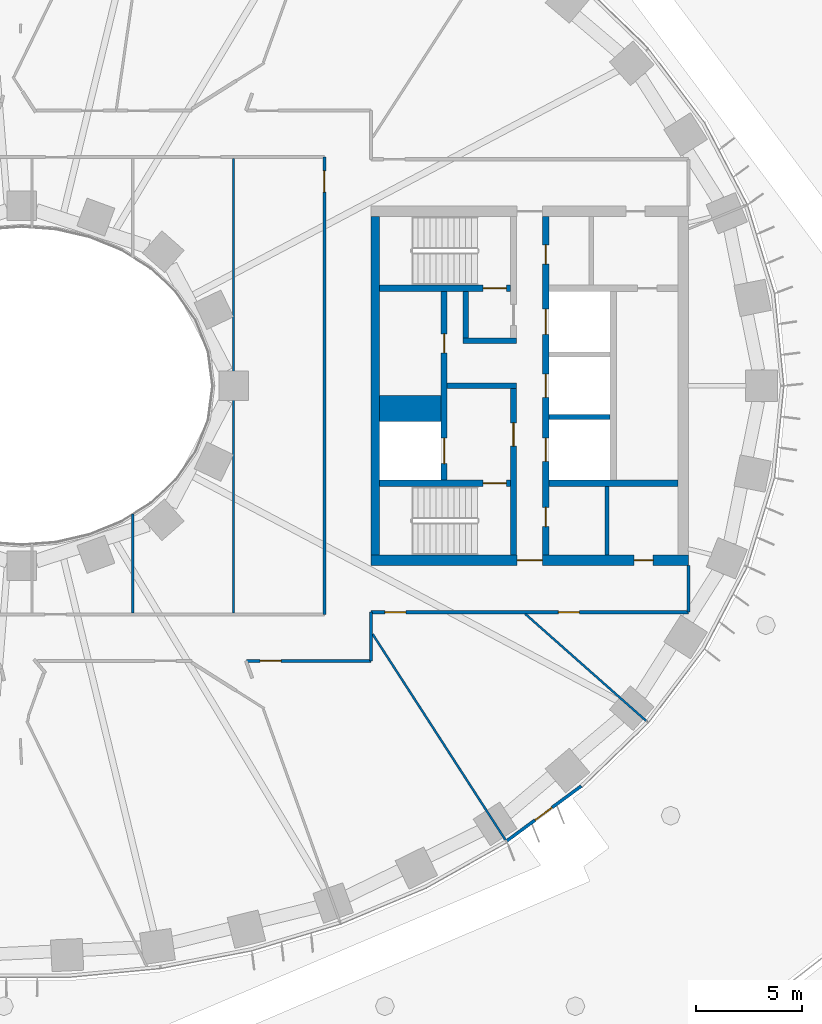
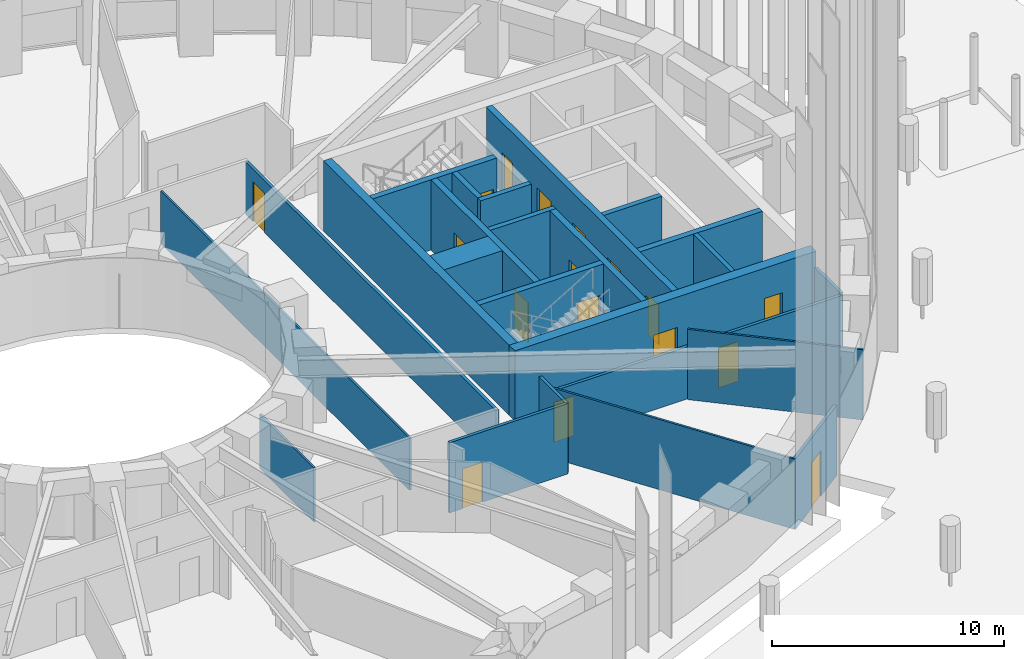
# One storey, part 14 of 30: 24 walls, 17 doors, 17 openings.
"""IFC4 building model written with IfcOpenShell, lengths in metres."""

from ifc_helpers import new_model, si_unit, direction, frame, frame_2d, origin, place, context, subcontext, project, spatial, rectangle, extrude, material, layer, layer_set, type_object, element, fill, save


model = new_model("IFC4")

# Units and contexts
model_context = context("Model", 3, precision=1e-05, world=origin(), true_north=direction((0.0, 1.0)))
body_context = subcontext(model_context, "Body", "Model", "MODEL_VIEW")
ifc_project = project(units=[si_unit("LENGTHUNIT", "METRE"), si_unit("AREAUNIT", "SQUARE_METRE"), si_unit("VOLUMEUNIT", "CUBIC_METRE"), si_unit("PLANEANGLEUNIT", "RADIAN"), si_unit("MASSUNIT", "GRAM", prefix="KILO")], contexts=[model_context])

# Site, building, storey
site_placement = place(None, origin())
site = spatial("IfcSite", under=ifc_project, at=site_placement, CompositionType="ELEMENT")
building_placement = place(site_placement, origin())
building = spatial("IfcBuilding", under=site, at=building_placement, Name="Noorbagh Ring Tower", CompositionType="ELEMENT")
storey_placement = place(building_placement, frame((0.0, 0.0, 30.5)))
storey = spatial("IfcBuildingStorey", under=building, at=storey_placement, Name="L05", CompositionType="ELEMENT", Elevation=30.5)

# Walls
ifc_material_1 = material(Name="Gypsum board on steel studs", Category="steel")
ifc_layer_1 = layer(ifc_material_1, 0.199951171875)
ifc_layer_set_1 = layer_set([ifc_layer_1], Name="Gypsum board on steel studs")
wall_type_1 = type_object("IfcWallType", Name="CORE-PARTITION-200", PredefinedType="PARTITIONING", material=ifc_layer_set_1)
wall_1_placement = place(storey_placement, frame((27.64990234375, -8.0, 0.0), z_axis=(0.0, 0.0, 1.0), x_axis=(0.0, 1.0, 0.0)))
element("IfcWall", 1, at=wall_1_placement, inside=storey, type_object=wall_type_1, Name="Core partition E", PredefinedType="PARTITIONING", context=body_context, shape_type="SweptSolid", body=[
    extrude(rectangle(XDim=3.25, YDim=0.199951171875, at=frame_2d((1.625, 0.0))), origin(), (0.0, 0.0, 1.0), 3.699951171875),
])
ifc_material_2 = material(Name="Concrete C70/85", Category="concrete")
ifc_layer_2 = layer(ifc_material_2, 1.25)
ifc_layer_set_2 = layer_set([ifc_layer_2], Name="Concrete C70/85")
wall_type_2 = type_object("IfcWallType", Name="CORE-WALL-1250-C70-85-EI120", PredefinedType="SHEAR", material=ifc_layer_set_2)
wall_2_placement = place(storey_placement, frame((16.89990234375, -1.074951171875, 0.0), z_axis=(0.0, 0.0, 1.0), x_axis=(1.0, 0.0, 0.0)))
element("IfcWall", 2, at=wall_2_placement, inside=storey, type_object=wall_type_2, Name="Core wall E", PredefinedType="SHEAR", context=body_context, shape_type="SweptSolid", body=[
    extrude(rectangle(XDim=2.900146484375, YDim=1.25, at=frame_2d((1.4501953125, 0.0))), origin(), (0.0, 0.0, 1.0), 3.699951171875),
])
ifc_material_3 = material(Name="Concrete C70/85", Category="concrete")
ifc_layer_3 = layer(ifc_material_3, 0.25)
ifc_layer_set_3 = layer_set([ifc_layer_3], Name="Concrete C70/85")
wall_type_3 = type_object("IfcWallType", Name="CORE-WALL-250-C70-85-EI120", PredefinedType="SHEAR", material=ifc_layer_set_3)
wall_3_placement = place(storey_placement, frame((24.89990234375, -1.47509765625, 0.0), z_axis=(0.0, 0.0, 1.0), x_axis=(1.0, 0.0, 0.0)))
element("IfcWall", 3, at=wall_3_placement, inside=storey, type_object=wall_type_3, Name="Core wall E", PredefinedType="SHEAR", context=body_context, shape_type="SweptSolid", body=[
    extrude(rectangle(XDim=2.900146484375, YDim=0.25, at=frame_2d((1.4501953125, 0.0))), origin(), (0.0, 0.0, 1.0), 3.699951171875),
])
ifc_material_4 = material(Name="Concrete C70/85", Category="concrete")
ifc_layer_4 = layer(ifc_material_4, 0.25)
ifc_layer_set_4 = layer_set([ifc_layer_4], Name="Concrete C70/85")
wall_type_4 = type_object("IfcWallType", Name="CORE-WALL-250-C70-85-EI240", PredefinedType="SHEAR", material=ifc_layer_set_4)
wall_4_placement = place(storey_placement, frame((20.10009765625, 0.0, 0.0), z_axis=(0.0, 0.0, 1.0), x_axis=(1.0, 0.0, 0.0)))
element("IfcWall", 4, at=wall_4_placement, inside=storey, type_object=wall_type_4, Name="Core wall E", PredefinedType="SHEAR", context=body_context, shape_type="SweptSolid", body=[
    extrude(rectangle(XDim=3.27978515625, YDim=0.25, at=frame_2d((1.639892578125, 0.0))), origin(), (0.0, 0.0, 1.0), 3.699951171875),
])
wall_5_placement = place(storey_placement, frame((20.85009765625, 2.125, 0.0), z_axis=(0.0, 0.0, 1.0), x_axis=(1.0, 0.0, 0.0)))
element("IfcWall", 5, at=wall_5_placement, inside=storey, type_object=wall_type_4, Name="Core wall E", PredefinedType="SHEAR", context=body_context, shape_type="SweptSolid", body=[
    extrude(rectangle(XDim=2.52978515625, YDim=0.25, at=frame_2d((1.264892578125, 0.0))), origin(), (0.0, 0.0, 1.0), 3.699951171875),
])
wall_6_placement = place(storey_placement, frame((20.97509765625, 2.25, 0.0), z_axis=(0.0, 0.0, 1.0), x_axis=(0.0, 1.0, 0.0)))
element("IfcWall", 6, at=wall_6_placement, inside=storey, type_object=wall_type_4, Name="Core wall E", PredefinedType="SHEAR", context=body_context, shape_type="SweptSolid", body=[
    extrude(rectangle(XDim=2.199951171875, YDim=0.25, at=frame_2d((1.10009765625, 0.0))), origin(), (0.0, 0.0, 1.0), 3.699951171875),
])

# Wall, openings, doors
ifc_material_5 = material(Name="Concrete C70/85", Category="concrete")
ifc_layer_5 = layer(ifc_material_5, 0.300048828125)
ifc_layer_set_5 = layer_set([ifc_layer_5], Name="Concrete C70/85")
wall_type_5 = type_object("IfcWallType", Name="CORE-WALL-300-C70-85-EI120", PredefinedType="SHEAR", material=ifc_layer_set_5)
wall_7_placement = place(storey_placement, frame((19.949951171875, -4.449951171875, 0.0), z_axis=(0.0, 0.0, 1.0), x_axis=(0.0, 1.0, 0.0)))
wall_7 = element("IfcWall", 7, at=wall_7_placement, inside=storey, type_object=wall_type_5, Name="Core wall E", PredefinedType="SHEAR", context=body_context, shape_type="SweptSolid", body=[
    extrude(rectangle(XDim=8.89990234375, YDim=0.300048828125, at=frame_2d((4.449951171875, 0.0))), origin(), (0.0, 0.0, 1.0), 3.699951171875),
])
opening_1_placement = place(wall_7_placement, frame((0.77490234375, 0.0, 0.0)))
opening_1 = element("IfcOpeningElement", 8, at=opening_1_placement, cuts=wall_7, Name="Opening L05-CE01", PredefinedType="OPENING", context=body_context, shape_type="SweptSolid", body=[
    extrude(rectangle(XDim=1.199951171875, YDim=2.10009765625, at=frame_2d((0.60009765625, 1.050048828125))), frame((0.0, 0.16015625, 0.0), z_axis=(0.0, -1.0, 0.0), x_axis=(1.0, 0.0, 0.0)), (0.0, 0.0, 1.0), 0.320068359375),
])
opening_2_placement = place(wall_7_placement, frame((6.0, 0.0, 0.0)))
opening_2 = element("IfcOpeningElement", 9, at=opening_2_placement, cuts=wall_7, Name="Opening L05-CE11", PredefinedType="OPENING", context=body_context, shape_type="SweptSolid", body=[
    extrude(rectangle(XDim=0.89990234375, YDim=2.10009765625, at=frame_2d((0.449951171875, 1.050048828125))), frame((0.0, 0.16015625, 0.0), z_axis=(0.0, -1.0, 0.0), x_axis=(1.0, 0.0, 0.0)), (0.0, 0.0, 1.0), 0.320068359375),
])
ifc_material_6 = material(Name="Steel door leaf", Category="steel")
door_type_1 = type_object("IfcDoorType", Name="CORE-DOOR-DROOM", OperationType="SINGLE_SWING_LEFT", PredefinedType="DOOR", material=ifc_material_6)
door_1_placement = place(opening_2_placement, origin())
door_1 = element("IfcDoor", 10, at=door_1_placement, inside=storey, type_object=door_type_1, Name="Core room door L05-CE11", OperationType="SINGLE_SWING_RIGHT", OverallHeight=2.10009765625, OverallWidth=0.89990234375, PredefinedType="DOOR", context=body_context, shape_type="SweptSolid", body=[
    extrude(rectangle(XDim=0.89990234375, YDim=2.10009765625, at=frame_2d((0.449951171875, 1.050048828125))), frame((0.0, 0.02490234375, 0.0), z_axis=(0.0, -1.0, 0.0), x_axis=(1.0, 0.0, 0.0)), (0.0, 0.0, 1.0), 0.050048828125),
])
fill(opening_2, door_1)
ifc_material_7 = material(Name="Steel door leaf", Category="steel")
door_type_2 = type_object("IfcDoorType", Name="CORE-DOOR-LDW", OperationType="DOUBLE_DOOR_SLIDING", PredefinedType="DOOR", material=ifc_material_7)
door_2_placement = place(opening_1_placement, origin())
door_2 = element("IfcDoor", 11, at=door_2_placement, inside=storey, type_object=door_type_2, Name="Landing door FF2 L05-CE01", OperationType="DOUBLE_DOOR_SLIDING", OverallHeight=2.10009765625, OverallWidth=1.199951171875, PredefinedType="DOOR", context=body_context, shape_type="SweptSolid", body=[
    extrude(rectangle(XDim=1.199951171875, YDim=2.10009765625, at=frame_2d((0.60009765625, 1.050048828125))), frame((0.0, 0.02490234375, 0.0), z_axis=(0.0, -1.0, 0.0), x_axis=(1.0, 0.0, 0.0)), (0.0, 0.0, 1.0), 0.050048828125),
])
fill(opening_1, door_2)

wall_8_placement = place(storey_placement, frame((24.75, -8.0, 0.0), z_axis=(0.0, 0.0, 1.0), x_axis=(0.0, 1.0, 0.0)))
wall_8 = element("IfcWall", 12, at=wall_8_placement, inside=storey, type_object=wall_type_5, Name="Core wall E", PredefinedType="SHEAR", context=body_context, shape_type="SweptSolid", body=[
    extrude(rectangle(XDim=16.0, YDim=0.300048828125, at=frame_2d((8.0, 0.0))), origin(), (0.0, 0.0, 1.0), 3.699951171875),
])
opening_3_placement = place(wall_8_placement, frame((4.425048828125, 0.0, 0.0)))
opening_3 = element("IfcOpeningElement", 13, at=opening_3_placement, cuts=wall_8, Name="Opening L05-CE02", PredefinedType="OPENING", context=body_context, shape_type="SweptSolid", body=[
    extrude(rectangle(XDim=1.10009765625, YDim=2.10009765625, at=frame_2d((0.550048828125, 1.050048828125))), frame((0.0, 0.16015625, 0.0), z_axis=(0.0, -1.0, 0.0), x_axis=(1.0, 0.0, 0.0)), (0.0, 0.0, 1.0), 0.320068359375),
])
opening_4_placement = place(wall_8_placement, frame((7.449951171875, 0.0, 0.0)))
opening_4 = element("IfcOpeningElement", 14, at=opening_4_placement, cuts=wall_8, Name="Opening L05-CE03", PredefinedType="OPENING", context=body_context, shape_type="SweptSolid", body=[
    extrude(rectangle(XDim=1.10009765625, YDim=2.10009765625, at=frame_2d((0.550048828125, 1.050048828125))), frame((0.0, 0.16015625, 0.0), z_axis=(0.0, -1.0, 0.0), x_axis=(1.0, 0.0, 0.0)), (0.0, 0.0, 1.0), 0.320068359375),
])
opening_5_placement = place(wall_8_placement, frame((10.425048828125, 0.0, 0.0)))
opening_5 = element("IfcOpeningElement", 15, at=opening_5_placement, cuts=wall_8, Name="Opening L05-CE04", PredefinedType="OPENING", context=body_context, shape_type="SweptSolid", body=[
    extrude(rectangle(XDim=1.199951171875, YDim=2.10009765625, at=frame_2d((0.60009765625, 1.050048828125))), frame((0.0, 0.16015625, 0.0), z_axis=(0.0, -1.0, 0.0), x_axis=(1.0, 0.0, 0.0)), (0.0, 0.0, 1.0), 0.320068359375),
])
opening_6_placement = place(wall_8_placement, frame((13.75, 0.0, 0.0)))
opening_6 = element("IfcOpeningElement", 16, at=opening_6_placement, cuts=wall_8, Name="Opening L05-CE12", PredefinedType="OPENING", context=body_context, shape_type="SweptSolid", body=[
    extrude(rectangle(XDim=0.89990234375, YDim=2.10009765625, at=frame_2d((0.449951171875, 1.050048828125))), frame((0.0, 0.16015625, 0.0), z_axis=(0.0, -1.0, 0.0), x_axis=(1.0, 0.0, 0.0)), (0.0, 0.0, 1.0), 0.320068359375),
])
opening_7_placement = place(wall_8_placement, frame((1.35009765625, 0.0, 0.0)))
opening_7 = element("IfcOpeningElement", 17, at=opening_7_placement, cuts=wall_8, Name="Opening L05-CE14", PredefinedType="OPENING", context=body_context, shape_type="SweptSolid", body=[
    extrude(rectangle(XDim=0.89990234375, YDim=2.10009765625, at=frame_2d((0.449951171875, 1.050048828125))), frame((0.0, 0.16015625, 0.0), z_axis=(0.0, -1.0, 0.0), x_axis=(1.0, 0.0, 0.0)), (0.0, 0.0, 1.0), 0.320068359375),
])
door_3_placement = place(opening_6_placement, origin())
door_3 = element("IfcDoor", 18, at=door_3_placement, inside=storey, type_object=door_type_1, Name="Core room door L05-CE12", OperationType="SINGLE_SWING_LEFT", OverallHeight=2.10009765625, OverallWidth=0.89990234375, PredefinedType="DOOR", context=body_context, shape_type="SweptSolid", body=[
    extrude(rectangle(XDim=0.89990234375, YDim=2.10009765625, at=frame_2d((0.449951171875, 1.050048828125))), frame((0.0, 0.02490234375, 0.0), z_axis=(0.0, -1.0, 0.0), x_axis=(1.0, 0.0, 0.0)), (0.0, 0.0, 1.0), 0.050048828125),
])
fill(opening_6, door_3)
door_4_placement = place(opening_7_placement, origin())
door_4 = element("IfcDoor", 19, at=door_4_placement, inside=storey, type_object=door_type_1, Name="Core room door L05-CE14", OperationType="SINGLE_SWING_RIGHT", OverallHeight=2.10009765625, OverallWidth=0.89990234375, PredefinedType="DOOR", context=body_context, shape_type="SweptSolid", body=[
    extrude(rectangle(XDim=0.89990234375, YDim=2.10009765625, at=frame_2d((0.449951171875, 1.050048828125))), frame((0.0, 0.02490234375, 0.0), z_axis=(0.0, -1.0, 0.0), x_axis=(1.0, 0.0, 0.0)), (0.0, 0.0, 1.0), 0.050048828125),
])
fill(opening_7, door_4)
ifc_material_8 = material(Name="Steel door leaf", Category="steel")
door_type_3 = type_object("IfcDoorType", Name="CORE-DOOR-LD", OperationType="DOUBLE_DOOR_SLIDING", PredefinedType="DOOR", material=ifc_material_8)
door_5_placement = place(opening_3_placement, origin())
door_5 = element("IfcDoor", 20, at=door_5_placement, inside=storey, type_object=door_type_3, Name="Landing door LR3 L05-CE02", OperationType="DOUBLE_DOOR_SLIDING", OverallHeight=2.10009765625, OverallWidth=1.10009765625, PredefinedType="DOOR", context=body_context, shape_type="SweptSolid", body=[
    extrude(rectangle(XDim=1.10009765625, YDim=2.10009765625, at=frame_2d((0.550048828125, 1.050048828125))), frame((0.0, 0.02490234375, 0.0), z_axis=(0.0, -1.0, 0.0), x_axis=(1.0, 0.0, 0.0)), (0.0, 0.0, 1.0), 0.050048828125),
])
fill(opening_3, door_5)
door_6_placement = place(opening_4_placement, origin())
door_6 = element("IfcDoor", 21, at=door_6_placement, inside=storey, type_object=door_type_3, Name="Landing door LR4 L05-CE03", OperationType="DOUBLE_DOOR_SLIDING", OverallHeight=2.10009765625, OverallWidth=1.10009765625, PredefinedType="DOOR", context=body_context, shape_type="SweptSolid", body=[
    extrude(rectangle(XDim=1.10009765625, YDim=2.10009765625, at=frame_2d((0.550048828125, 1.050048828125))), frame((0.0, 0.02490234375, 0.0), z_axis=(0.0, -1.0, 0.0), x_axis=(1.0, 0.0, 0.0)), (0.0, 0.0, 1.0), 0.050048828125),
])
fill(opening_4, door_6)
door_7_placement = place(opening_5_placement, origin())
door_7 = element("IfcDoor", 22, at=door_7_placement, inside=storey, type_object=door_type_2, Name="Landing door SV2 L05-CE04", OperationType="DOUBLE_DOOR_SLIDING", OverallHeight=2.10009765625, OverallWidth=1.199951171875, PredefinedType="DOOR", context=body_context, shape_type="SweptSolid", body=[
    extrude(rectangle(XDim=1.199951171875, YDim=2.10009765625, at=frame_2d((0.60009765625, 1.050048828125))), frame((0.0, 0.02490234375, 0.0), z_axis=(0.0, -1.0, 0.0), x_axis=(1.0, 0.0, 0.0)), (0.0, 0.0, 1.0), 0.050048828125),
])
fill(opening_5, door_7)

# Wall
ifc_material_9 = material(Name="Concrete C70/85", Category="concrete")
ifc_layer_6 = layer(ifc_material_9, 0.300048828125)
ifc_layer_set_6 = layer_set([ifc_layer_6], Name="Concrete C70/85")
wall_type_6 = type_object("IfcWallType", Name="CORE-WALL-300-C70-85-EI240", PredefinedType="SHEAR", material=ifc_layer_set_6)
wall_9_placement = place(storey_placement, frame((24.89990234375, -4.60009765625, 0.0), z_axis=(0.0, 0.0, 1.0), x_axis=(1.0, 0.0, 0.0)))
element("IfcWall", 23, at=wall_9_placement, inside=storey, type_object=wall_type_6, Name="Core wall E", PredefinedType="SHEAR", context=body_context, shape_type="SweptSolid", body=[
    extrude(rectangle(XDim=6.10009765625, YDim=0.300048828125, at=frame_2d((3.050048828125, 0.0))), origin(), (0.0, 0.0, 1.0), 3.699951171875),
])

# Wall, opening, door
wall_10_placement = place(storey_placement, frame((23.22998046875, -8.0, 0.0), z_axis=(0.0, 0.0, 1.0), x_axis=(0.0, 1.0, 0.0)))
wall_10 = element("IfcWall", 24, at=wall_10_placement, inside=storey, type_object=wall_type_6, Name="Core wall E", PredefinedType="SHEAR", context=body_context, shape_type="SweptSolid", body=[
    extrude(rectangle(XDim=7.875, YDim=0.300048828125, at=frame_2d((3.9375, 0.0))), origin(), (0.0, 0.0, 1.0), 3.699951171875),
])
opening_8_placement = place(wall_10_placement, frame((5.14990234375, 0.0, 0.0)))
opening_8 = element("IfcOpeningElement", 25, at=opening_8_placement, cuts=wall_10, Name="Opening L05-CE07", PredefinedType="OPENING", context=body_context, shape_type="SweptSolid", body=[
    extrude(rectangle(XDim=1.10009765625, YDim=2.10009765625, at=frame_2d((0.550048828125, 1.050048828125))), frame((0.0, 0.16015625, 0.0), z_axis=(0.0, -1.0, 0.0), x_axis=(1.0, 0.0, 0.0)), (0.0, 0.0, 1.0), 0.320068359375),
])
ifc_material_10 = material(Name="Steel door leaf", Category="steel")
door_type_4 = type_object("IfcDoorType", Name="CORE-DOOR-DFF", OperationType="SINGLE_SWING_LEFT", PredefinedType="DOOR", material=ifc_material_10)
door_8_placement = place(opening_8_placement, origin())
door_8 = element("IfcDoor", 26, at=door_8_placement, inside=storey, type_object=door_type_4, Name="Firefighting lobby door L05-CE07", OperationType="SINGLE_SWING_RIGHT", OverallHeight=2.10009765625, OverallWidth=1.10009765625, PredefinedType="DOOR", context=body_context, shape_type="SweptSolid", body=[
    extrude(rectangle(XDim=1.10009765625, YDim=2.10009765625, at=frame_2d((0.550048828125, 1.050048828125))), frame((0.0, 0.02490234375, 0.0), z_axis=(0.0, -1.0, 0.0), x_axis=(1.0, 0.0, 0.0)), (0.0, 0.0, 1.0), 0.050048828125),
])
fill(opening_8, door_8)

wall_11_placement = place(storey_placement, frame((16.89990234375, 4.60009765625, 0.0), z_axis=(0.0, 0.0, 1.0), x_axis=(1.0, 0.0, 0.0)))
wall_11 = element("IfcWall", 27, at=wall_11_placement, inside=storey, type_object=wall_type_6, Name="Core wall E", PredefinedType="SHEAR", context=body_context, shape_type="SweptSolid", body=[
    extrude(rectangle(XDim=6.18017578125, YDim=0.300048828125, at=frame_2d((3.090087890625, 0.0))), origin(), (0.0, 0.0, 1.0), 3.699951171875),
])
opening_9_placement = place(wall_11_placement, frame((4.89990234375, 0.0, 0.0)))
opening_9 = element("IfcOpeningElement", 28, at=opening_9_placement, cuts=wall_11, Name="Opening L05-CE05", PredefinedType="OPENING", context=body_context, shape_type="SweptSolid", body=[
    extrude(rectangle(XDim=1.10009765625, YDim=2.10009765625, at=frame_2d((0.550048828125, 1.050048828125))), frame((0.0, 0.16015625, 0.0), z_axis=(0.0, -1.0, 0.0), x_axis=(1.0, 0.0, 0.0)), (0.0, 0.0, 1.0), 0.320068359375),
])
ifc_material_11 = material(Name="Steel door leaf", Category="steel")
door_type_5 = type_object("IfcDoorType", Name="CORE-DOOR-DSTAIR", OperationType="SINGLE_SWING_LEFT", PredefinedType="DOOR", material=ifc_material_11)
door_9_placement = place(opening_9_placement, origin())
door_9 = element("IfcDoor", 29, at=door_9_placement, inside=storey, type_object=door_type_5, Name="Stair door ST3 L05-CE05", OperationType="SINGLE_SWING_LEFT", OverallHeight=2.10009765625, OverallWidth=1.10009765625, PredefinedType="DOOR", context=body_context, shape_type="SweptSolid", body=[
    extrude(rectangle(XDim=1.10009765625, YDim=2.10009765625, at=frame_2d((0.550048828125, 1.050048828125))), frame((0.0, 0.02490234375, 0.0), z_axis=(0.0, -1.0, 0.0), x_axis=(1.0, 0.0, 0.0)), (0.0, 0.0, 1.0), 0.050048828125),
])
fill(opening_9, door_9)

wall_12_placement = place(storey_placement, frame((16.89990234375, -4.60009765625, 0.0), z_axis=(0.0, 0.0, 1.0), x_axis=(1.0, 0.0, 0.0)))
wall_12 = element("IfcWall", 30, at=wall_12_placement, inside=storey, type_object=wall_type_6, Name="Core wall E", PredefinedType="SHEAR", context=body_context, shape_type="SweptSolid", body=[
    extrude(rectangle(XDim=6.18017578125, YDim=0.300048828125, at=frame_2d((3.090087890625, 0.0))), origin(), (0.0, 0.0, 1.0), 3.699951171875),
])
opening_10_placement = place(wall_12_placement, frame((4.89990234375, 0.0, 0.0)))
opening_10 = element("IfcOpeningElement", 31, at=opening_10_placement, cuts=wall_12, Name="Opening L05-CE06", PredefinedType="OPENING", context=body_context, shape_type="SweptSolid", body=[
    extrude(rectangle(XDim=1.10009765625, YDim=2.10009765625, at=frame_2d((0.550048828125, 1.050048828125))), frame((0.0, 0.16015625, 0.0), z_axis=(0.0, -1.0, 0.0), x_axis=(1.0, 0.0, 0.0)), (0.0, 0.0, 1.0), 0.320068359375),
])
door_10_placement = place(opening_10_placement, origin())
door_10 = element("IfcDoor", 32, at=door_10_placement, inside=storey, type_object=door_type_5, Name="Stair door ST4 L05-CE06", OperationType="SINGLE_SWING_RIGHT", OverallHeight=2.10009765625, OverallWidth=1.10009765625, PredefinedType="DOOR", context=body_context, shape_type="SweptSolid", body=[
    extrude(rectangle(XDim=1.10009765625, YDim=2.10009765625, at=frame_2d((0.550048828125, 1.050048828125))), frame((0.0, 0.02490234375, 0.0), z_axis=(0.0, -1.0, 0.0), x_axis=(1.0, 0.0, 0.0)), (0.0, 0.0, 1.0), 0.050048828125),
])
fill(opening_10, door_10)

# Wall
ifc_material_12 = material(Name="Concrete C70/85", Category="concrete")
ifc_layer_7 = layer(ifc_material_12, 0.39990234375)
ifc_layer_set_7 = layer_set([ifc_layer_7], Name="Concrete C70/85")
wall_type_7 = type_object("IfcWallType", Name="CORE-WALL-400-C70-85-EI240", PredefinedType="SHEAR", material=ifc_layer_set_7)
wall_13_placement = place(storey_placement, frame((16.699951171875, -8.0, 0.0), z_axis=(0.0, 0.0, 1.0), x_axis=(0.0, 1.0, 0.0)))
element("IfcWall", 33, at=wall_13_placement, inside=storey, type_object=wall_type_7, Name="Core wall E", PredefinedType="SHEAR", context=body_context, shape_type="SweptSolid", body=[
    extrude(rectangle(XDim=16.0, YDim=0.39990234375, at=frame_2d((8.0, 0.0))), origin(), (0.0, 0.0, 1.0), 3.699951171875),
])

# Wall, openings, doors
ifc_material_13 = material(Name="Concrete C70/85", Category="concrete")
ifc_layer_8 = layer(ifc_material_13, 0.5)
ifc_layer_set_8 = layer_set([ifc_layer_8], Name="Concrete C70/85")
wall_type_8 = type_object("IfcWallType", Name="CORE-WALL-500-C70-85-EI240", PredefinedType="SHEAR", material=ifc_layer_set_8)
wall_14_placement = place(storey_placement, frame((16.5, -8.25, 0.0), z_axis=(0.0, 0.0, 1.0), x_axis=(1.0, 0.0, 0.0)))
wall_14 = element("IfcWall", 34, at=wall_14_placement, inside=storey, type_object=wall_type_8, Name="Core wall E", PredefinedType="SHEAR", context=body_context, shape_type="SweptSolid", body=[
    extrude(rectangle(XDim=15.0, YDim=0.5, at=frame_2d((7.5, 0.0))), origin(), (0.0, 0.0, 1.0), 3.699951171875),
])
opening_11_placement = place(wall_14_placement, frame((6.89990234375, 0.0, 0.0)))
opening_11 = element("IfcOpeningElement", 35, at=opening_11_placement, cuts=wall_14, Name="Opening L05-CE10", PredefinedType="OPENING", context=body_context, shape_type="SweptSolid", body=[
    extrude(rectangle(XDim=1.199951171875, YDim=2.10009765625, at=frame_2d((0.60009765625, 1.050048828125))), frame((0.0, 0.260009765625, 0.0), z_axis=(0.0, -1.0, 0.0), x_axis=(1.0, 0.0, 0.0)), (0.0, 0.0, 1.0), 0.52001953125),
])
opening_12_placement = place(wall_14_placement, frame((12.425048828125, 0.0, 0.0)))
opening_12 = element("IfcOpeningElement", 36, at=opening_12_placement, cuts=wall_14, Name="Opening L05-CE15", PredefinedType="OPENING", context=body_context, shape_type="SweptSolid", body=[
    extrude(rectangle(XDim=0.89990234375, YDim=2.10009765625, at=frame_2d((0.449951171875, 1.050048828125))), frame((0.0, 0.260009765625, 0.0), z_axis=(0.0, -1.0, 0.0), x_axis=(1.0, 0.0, 0.0)), (0.0, 0.0, 1.0), 0.52001953125),
])
door_11_placement = place(opening_12_placement, origin())
door_11 = element("IfcDoor", 37, at=door_11_placement, inside=storey, type_object=door_type_1, Name="Core room door L05-CE15", OperationType="SINGLE_SWING_RIGHT", OverallHeight=2.10009765625, OverallWidth=0.89990234375, PredefinedType="DOOR", context=body_context, shape_type="SweptSolid", body=[
    extrude(rectangle(XDim=0.89990234375, YDim=2.10009765625, at=frame_2d((0.449951171875, 1.050048828125))), frame((0.0, 0.02490234375, 0.0), z_axis=(0.0, -1.0, 0.0), x_axis=(1.0, 0.0, 0.0)), (0.0, 0.0, 1.0), 0.050048828125),
])
fill(opening_12, door_11)
ifc_material_14 = material(Name="Steel door leaf", Category="steel")
door_type_6 = type_object("IfcDoorType", Name="CORE-DOOR-PORT", OperationType="DOUBLE_DOOR_DOUBLE_SWING", PredefinedType="DOOR", material=ifc_material_14)
door_12_placement = place(opening_11_placement, origin())
door_12 = element("IfcDoor", 38, at=door_12_placement, inside=storey, type_object=door_type_6, Name="Core entrance door L05-CE10", OperationType="DOUBLE_DOOR_DOUBLE_SWING", OverallHeight=2.10009765625, OverallWidth=1.199951171875, PredefinedType="DOOR", context=body_context, shape_type="SweptSolid", body=[
    extrude(rectangle(XDim=1.199951171875, YDim=2.10009765625, at=frame_2d((0.60009765625, 1.050048828125))), frame((0.0, 0.02490234375, 0.0), z_axis=(0.0, -1.0, 0.0), x_axis=(1.0, 0.0, 0.0)), (0.0, 0.0, 1.0), 0.050048828125),
])
fill(opening_11, door_12)

# Wall, opening, door
ifc_material_15 = material(Name="Gypsum board on steel studs", Category="steel")
ifc_layer_9 = layer(ifc_material_15, 0.14990234375)
ifc_layer_set_9 = layer_set([ifc_layer_9], Name="Gypsum board on steel studs")
wall_type_9 = type_object("IfcWallType", Name="CORRIDOR PARTITION 150 EI 30", PredefinedType="PARTITIONING", material=ifc_layer_set_9)
wall_15_placement = place(storey_placement, frame((10.60693359375, -13.0, 0.0), z_axis=(0.0, 0.0, 1.0), x_axis=(1.0, 0.0, 0.0)))
wall_15 = element("IfcWall", 39, at=wall_15_placement, inside=storey, type_object=wall_type_9, Name="L05/wall/P66", PredefinedType="PARTITIONING", context=body_context, shape_type="SweptSolid", body=[
    extrude(rectangle(XDim=5.89306640625, YDim=0.14990234375, at=frame_2d((2.946533203125, 0.0))), origin(), (0.0, 0.0, 1.0), 3.699951171875),
])
opening_13_placement = place(wall_15_placement, frame((0.64990234375, 0.0, 0.0)))
opening_13 = element("IfcOpeningElement", 40, at=opening_13_placement, cuts=wall_15, Name="Opening D1", PredefinedType="OPENING", context=body_context, shape_type="SweptSolid", body=[
    extrude(rectangle(XDim=1.0, YDim=2.10009765625, at=frame_2d((0.5, 1.050048828125))), frame((0.0, 0.0849609375, 0.0), z_axis=(0.0, -1.0, 0.0), x_axis=(1.0, 0.0, 0.0)), (0.0, 0.0, 1.0), 0.169921875),
])
ifc_material_16 = material(Name="Timber, painted", Category="wood")
door_type_7 = type_object("IfcDoorType", Name="DOOR 1000 X 2100 FD30", OperationType="SINGLE_SWING_LEFT", PredefinedType="DOOR", material=ifc_material_16)
door_13_placement = place(opening_13_placement, origin())
door_13 = element("IfcDoor", 41, at=door_13_placement, inside=storey, type_object=door_type_7, Name="L05-D19", OperationType="SINGLE_SWING_LEFT", OverallHeight=2.10009765625, OverallWidth=1.0, PredefinedType="DOOR", context=body_context, shape_type="SweptSolid", body=[
    extrude(rectangle(XDim=1.0, YDim=2.10009765625, at=frame_2d((0.5, 1.050048828125))), frame((0.0, 0.02490234375, 0.0), z_axis=(0.0, -1.0, 0.0), x_axis=(1.0, 0.0, 0.0)), (0.0, 0.0, 1.0), 0.050048828125),
])
fill(opening_13, door_13)

wall_16_placement = place(storey_placement, frame((14.300048828125, -10.800048828125, 0.0), z_axis=(0.0, 0.0, 1.0), x_axis=(0.0, 1.0, 0.0)))
wall_16 = element("IfcWall", 42, at=wall_16_placement, inside=storey, type_object=wall_type_9, Name="L05/wall/P70", PredefinedType="PARTITIONING", context=body_context, shape_type="SweptSolid", body=[
    extrude(rectangle(XDim=21.60009765625, YDim=0.14990234375, at=frame_2d((10.800048828125, 0.0))), origin(), (0.0, 0.0, 1.0), 2.75),
])
opening_14_placement = place(wall_16_placement, frame((19.949951171875, 0.0, 0.0)))
opening_14 = element("IfcOpeningElement", 43, at=opening_14_placement, cuts=wall_16, Name="Opening D1", PredefinedType="OPENING", context=body_context, shape_type="SweptSolid", body=[
    extrude(rectangle(XDim=1.0, YDim=2.10009765625, at=frame_2d((0.5, 1.050048828125))), frame((0.0, 0.0849609375, 0.0), z_axis=(0.0, -1.0, 0.0), x_axis=(1.0, 0.0, 0.0)), (0.0, 0.0, 1.0), 0.169921875),
])
door_14_placement = place(opening_14_placement, origin())
door_14 = element("IfcDoor", 44, at=door_14_placement, inside=storey, type_object=door_type_7, Name="L05-D31", OperationType="SINGLE_SWING_LEFT", OverallHeight=2.10009765625, OverallWidth=1.0, PredefinedType="DOOR", context=body_context, shape_type="SweptSolid", body=[
    extrude(rectangle(XDim=1.0, YDim=2.10009765625, at=frame_2d((0.5, 1.050048828125))), frame((0.0, 0.02490234375, 0.0), z_axis=(0.0, -1.0, 0.0), x_axis=(1.0, 0.0, 0.0)), (0.0, 0.0, 1.0), 0.050048828125),
])
fill(opening_14, door_14)

# Wall
wall_17_placement = place(storey_placement, frame((16.5, -13.0, 0.0), z_axis=(0.0, 0.0, 1.0), x_axis=(0.0, 1.0, 0.0)))
element("IfcWall", 45, at=wall_17_placement, inside=storey, type_object=wall_type_9, Name="L05/wall/P71", PredefinedType="PARTITIONING", context=body_context, shape_type="SweptSolid", body=[
    extrude(rectangle(XDim=2.300048828125, YDim=0.14990234375, at=frame_2d((1.14990234375, 0.0))), origin(), (0.0, 0.0, 1.0), 3.699951171875),
])

# Wall, openings, doors
wall_18_placement = place(storey_placement, frame((16.5, -10.699951171875, 0.0), z_axis=(0.0, 0.0, 1.0), x_axis=(1.0, 0.0, 0.0)))
wall_18 = element("IfcWall", 46, at=wall_18_placement, inside=storey, type_object=wall_type_9, Name="L05/wall/P73", PredefinedType="PARTITIONING", context=body_context, shape_type="SweptSolid", body=[
    extrude(rectangle(XDim=15.0, YDim=0.14990234375, at=frame_2d((7.5, 0.0))), origin(), (0.0, 0.0, 1.0), 2.75),
])
opening_15_placement = place(wall_18_placement, frame((0.64990234375, 0.0, 0.0)))
opening_15 = element("IfcOpeningElement", 47, at=opening_15_placement, cuts=wall_18, Name="Opening D1", PredefinedType="OPENING", context=body_context, shape_type="SweptSolid", body=[
    extrude(rectangle(XDim=1.0, YDim=2.10009765625, at=frame_2d((0.5, 1.050048828125))), frame((0.0, 0.0849609375, 0.0), z_axis=(0.0, -1.0, 0.0), x_axis=(1.0, 0.0, 0.0)), (0.0, 0.0, 1.0), 0.169921875),
])
opening_16_placement = place(wall_18_placement, frame((8.846923828125, 0.0, 0.0)))
opening_16 = element("IfcOpeningElement", 48, at=opening_16_placement, cuts=wall_18, Name="Opening D1", PredefinedType="OPENING", context=body_context, shape_type="SweptSolid", body=[
    extrude(rectangle(XDim=1.0, YDim=2.10009765625, at=frame_2d((0.5, 1.050048828125))), frame((0.0, 0.0849609375, 0.0), z_axis=(0.0, -1.0, 0.0), x_axis=(1.0, 0.0, 0.0)), (0.0, 0.0, 1.0), 0.169921875),
])
door_15_placement = place(opening_15_placement, origin())
door_15 = element("IfcDoor", 49, at=door_15_placement, inside=storey, type_object=door_type_7, Name="L05-D21", OperationType="SINGLE_SWING_LEFT", OverallHeight=2.10009765625, OverallWidth=1.0, PredefinedType="DOOR", context=body_context, shape_type="SweptSolid", body=[
    extrude(rectangle(XDim=1.0, YDim=2.10009765625, at=frame_2d((0.5, 1.050048828125))), frame((0.0, 0.02490234375, 0.0), z_axis=(0.0, -1.0, 0.0), x_axis=(1.0, 0.0, 0.0)), (0.0, 0.0, 1.0), 0.050048828125),
])
fill(opening_15, door_15)
door_16_placement = place(opening_16_placement, origin())
door_16 = element("IfcDoor", 50, at=door_16_placement, inside=storey, type_object=door_type_7, Name="L05-D23", OperationType="SINGLE_SWING_LEFT", OverallHeight=2.10009765625, OverallWidth=1.0, PredefinedType="DOOR", context=body_context, shape_type="SweptSolid", body=[
    extrude(rectangle(XDim=1.0, YDim=2.10009765625, at=frame_2d((0.5, 1.050048828125))), frame((0.0, 0.02490234375, 0.0), z_axis=(0.0, -1.0, 0.0), x_axis=(1.0, 0.0, 0.0)), (0.0, 0.0, 1.0), 0.050048828125),
])
fill(opening_16, door_16)

# Wall
wall_19_placement = place(storey_placement, frame((31.5, -10.699951171875, 0.0), z_axis=(0.0, 0.0, 1.0), x_axis=(0.0, 1.0, 0.0)))
element("IfcWall", 51, at=wall_19_placement, inside=storey, type_object=wall_type_9, Name="L05/wall/P78", PredefinedType="PARTITIONING", context=body_context, shape_type="SweptSolid", body=[
    extrude(rectangle(XDim=2.199951171875, YDim=0.14990234375, at=frame_2d((1.10009765625, 0.0))), origin(), (0.0, 0.0, 1.0), 2.85009765625),
])

# Wall, opening, door
ifc_material_17 = material(Name="Insulated aluminium clad panel", Category="aluminium")
ifc_layer_10 = layer(ifc_material_17, 0.14990234375)
ifc_layer_set_10 = layer_set([ifc_layer_10], Name="Insulated aluminium clad panel")
wall_type_10 = type_object("IfcWallType", Name="ENV-WALL-DOOR", PredefinedType="STANDARD", material=ifc_layer_set_10)
wall_20_placement = place(storey_placement, frame((22.8720703125, -21.535400390625, 0.0), z_axis=(0.0, 0.0, 1.0), x_axis=(0.805154287598, 0.593065403782, 0.0)))
wall_20 = element("IfcWall", 52, at=wall_20_placement, inside=storey, type_object=wall_type_10, Name="Terrace door wall chord 41", PredefinedType="STANDARD", context=body_context, shape_type="SweptSolid", body=[
    extrude(rectangle(XDim=4.4248046875, YDim=0.14990234375, at=frame_2d((2.21240234375, 0.0))), origin(), (0.0, 0.0, 1.0), 3.699951171875),
])
opening_17_placement = place(wall_20_placement, frame((1.71240234375, 0.0, 0.0)))
opening_17 = element("IfcOpeningElement", 53, at=opening_17_placement, cuts=wall_20, Name="Opening D-BL", PredefinedType="OPENING", context=body_context, shape_type="SweptSolid", body=[
    extrude(rectangle(XDim=1.0, YDim=2.39990234375, at=frame_2d((0.5, 1.199951171875))), frame((0.0, 0.0849609375, 0.0), z_axis=(0.0, -1.0, 0.0), x_axis=(1.0, 0.0, 0.0)), (0.0, 0.0, 1.0), 0.169921875),
])
ifc_material_18 = material(Name="Aluminium and glass", Category="aluminium")
door_type_8 = type_object("IfcDoorType", Name="ENV-DOOR-BALCONY", OperationType="SINGLE_SWING_LEFT", PredefinedType="DOOR", material=ifc_material_18)
door_17_placement = place(opening_17_placement, origin())
door_17 = element("IfcDoor", 54, at=door_17_placement, inside=storey, type_object=door_type_8, Name="Terrace door chord 41", OperationType="SINGLE_SWING_RIGHT", OverallHeight=2.39990234375, OverallWidth=1.0, PredefinedType="DOOR", context=body_context, shape_type="SweptSolid", body=[
    extrude(rectangle(XDim=1.0, YDim=2.39990234375, at=frame_2d((0.5, 1.199951171875))), frame((0.0, 0.02490234375, 0.0), z_axis=(0.0, -1.0, 0.0), x_axis=(1.0, 0.0, 0.0)), (0.0, 0.0, 1.0), 0.050048828125),
])
fill(opening_17, door_17)

# Walls
ifc_material_19 = material(Name="Gypsum board on steel studs", Category="steel")
ifc_layer_11 = layer(ifc_material_19, 0.10009765625)
ifc_layer_set_11 = layer_set([ifc_layer_11], Name="Gypsum board on steel studs")
wall_type_11 = type_object("IfcWallType", Name="PARTITION 100 GYPSUM", PredefinedType="PARTITIONING", material=ifc_layer_set_11)
wall_21_placement = place(storey_placement, frame((5.242919921875, -10.72509765625, 0.0), z_axis=(0.0, 0.0, 1.0), x_axis=(0.0, 1.0, 0.0)))
element("IfcWall", 55, at=wall_21_placement, inside=storey, type_object=wall_type_11, Name="L05/wall/P57", PredefinedType="PARTITIONING", context=body_context, shape_type="SweptSolid", body=[
    extrude(rectangle(XDim=4.666015625, YDim=0.10009765625, at=frame_2d((2.3330078125, 0.0))), origin(), (0.0, 0.0, 1.0), 2.85009765625),
])
wall_22_placement = place(storey_placement, frame((10.010009765625, -10.72509765625, 0.0), z_axis=(0.0, 0.0, 1.0), x_axis=(0.0, 1.0, 0.0)))
element("IfcWall", 56, at=wall_22_placement, inside=storey, type_object=wall_type_11, Name="L05/wall/P61", PredefinedType="PARTITIONING", context=body_context, shape_type="SweptSolid", body=[
    extrude(rectangle(XDim=21.4501953125, YDim=0.10009765625, at=frame_2d((10.72509765625, 0.0))), origin(), (0.0, 0.0, 1.0), 2.75),
])
wall_23_placement = place(storey_placement, frame((16.574951171875, -11.73291015625, 0.0), z_axis=(0.0, 0.0, 1.0), x_axis=(0.54222594427, -0.840232720953, 0.0)))
element("IfcWall", 57, at=wall_23_placement, inside=storey, type_object=wall_type_11, Name="L05/wall/P72", PredefinedType="PARTITIONING", context=body_context, shape_type="SweptSolid", body=[
    extrude(rectangle(XDim=11.67431640625, YDim=0.10009765625, at=frame_2d((5.837158203125, 0.0))), origin(), (0.0, 0.0, 1.0), 3.699951171875),
])
wall_24_placement = place(storey_placement, frame((23.784912109375, -10.778076171875, 0.0), z_axis=(0.0, 0.0, 1.0), x_axis=(0.748985701008, -0.662586160198, 0.0)))
element("IfcWall", 58, at=wall_24_placement, inside=storey, type_object=wall_type_11, Name="L05/wall/P77", PredefinedType="PARTITIONING", context=body_context, shape_type="SweptSolid", body=[
    extrude(rectangle(XDim=7.72265625, YDim=0.10009765625, at=frame_2d((3.861328125, 0.0))), origin(), (0.0, 0.0, 1.0), 3.699951171875),
])

save(model, "model.ifc")
